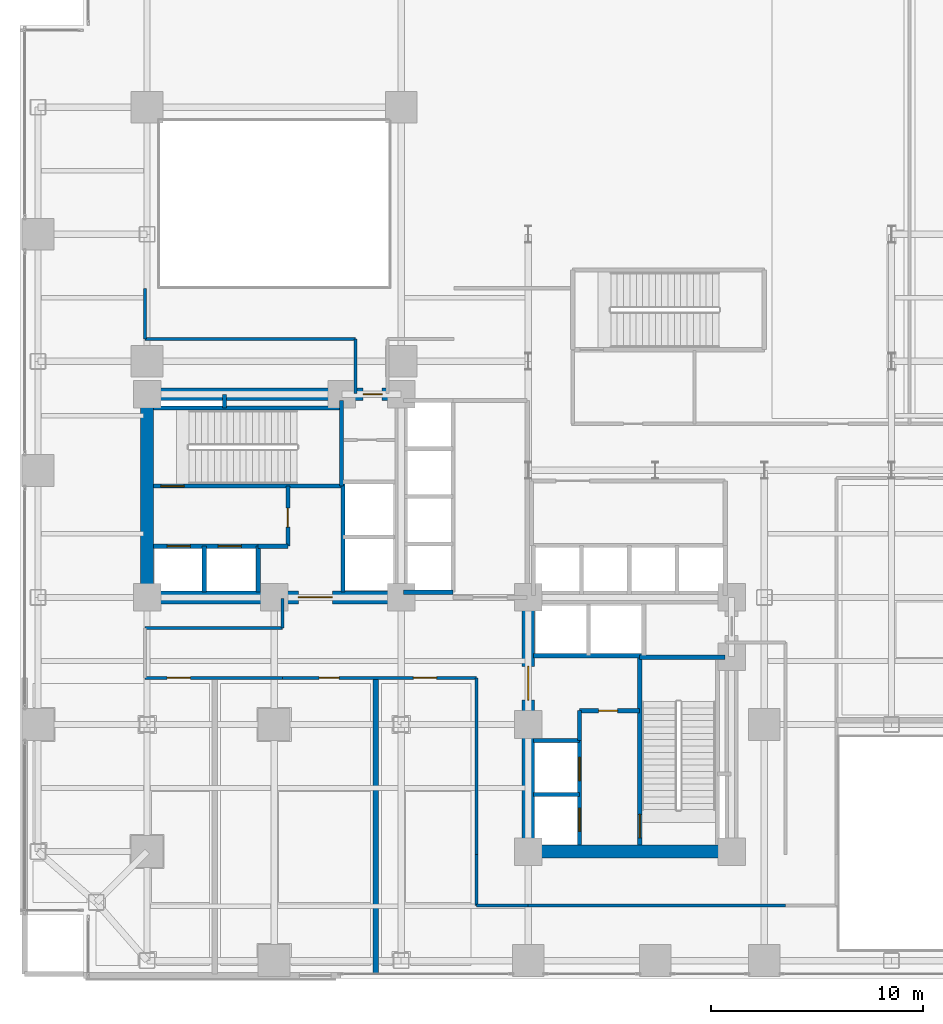
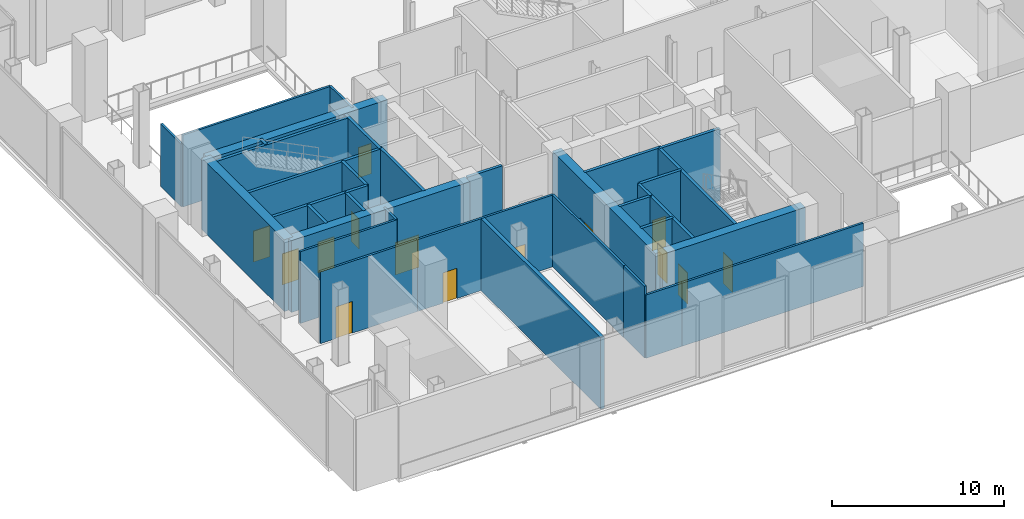
# One storey, part 21 of 28: 36 walls, 14 doors, 14 openings.
"""IFC4 building model written with IfcOpenShell, lengths in metres."""

from ifc_helpers import new_model, si_unit, direction, frame, frame_2d, origin, place, context, subcontext, project, spatial, rectangle, extrude, material, layer, layer_set, type_object, element, fill, save


model = new_model("IFC4")

# Units and contexts
model_context = context("Model", 3, precision=1e-05, world=origin(), true_north=direction((0.0, 1.0)))
body_context = subcontext(model_context, "Body", "Model", "MODEL_VIEW")
ifc_project = project(units=[si_unit("LENGTHUNIT", "METRE"), si_unit("AREAUNIT", "SQUARE_METRE"), si_unit("VOLUMEUNIT", "CUBIC_METRE"), si_unit("PLANEANGLEUNIT", "RADIAN"), si_unit("MASSUNIT", "GRAM", prefix="KILO"), si_unit("THERMODYNAMICTEMPERATUREUNIT", "KELVIN"), si_unit("POWERUNIT", "WATT")], contexts=[model_context])

# Site, building, storey
site_placement = place(None, origin())
site = spatial("IfcSite", under=ifc_project, at=site_placement, CompositionType="ELEMENT")
building_placement = place(site_placement, origin())
building = spatial("IfcBuilding", under=site, at=building_placement, Name="Svarakhadi Broadcast Tower", CompositionType="ELEMENT")
storey_placement = place(building_placement, frame((0.0, 0.0, 11.10009765625)))
storey = spatial("IfcBuildingStorey", under=building, at=storey_placement, Name="L02", CompositionType="ELEMENT", Elevation=11.10009765625)

# Walls
ifc_material_1 = material(Name="Double-Stud Acoustic Studio Partition STC-62", Category="gypsum")
ifc_layer_1 = layer(ifc_material_1, 0.25)
ifc_layer_set_1 = layer_set([ifc_layer_1], Name="Double-Stud Acoustic Studio Partition STC-62")
wall_type_1 = type_object("IfcWallType", Name="Wall_Acoust_250", PredefinedType="PARTITIONING", material=ifc_layer_set_1)
wall_1_placement = place(storey_placement, frame((16.800048828125, 0.219970703125, 0.0), z_axis=(0.0, 0.0, 1.0), x_axis=(0.0, 1.0, 0.0)))
element("IfcWall", 1, at=wall_1_placement, inside=storey, type_object=wall_type_1, Name="L02 L02 Audio Post-Production Mixing Room Wall", PredefinedType="PARTITIONING", context=body_context, shape_type="SweptSolid", body=[
    extrude(rectangle(XDim=13.97998046875, YDim=0.25, at=frame_2d((6.989990234375, 0.0))), origin(), (0.0, 0.0, 1.0), 5.099853515625),
])
ifc_material_2 = material(Name="Concrete C40/50 (IS 456 M50)", Category="concrete")
ifc_layer_2 = layer(ifc_material_2, 0.199951171875)
ifc_layer_set_2 = layer_set([ifc_layer_2], Name="Concrete C40/50 (IS 456 M50)")
wall_type_2 = type_object("IfcWallType", Name="Wall_Fire_200", PredefinedType="SOLIDWALL", material=ifc_layer_set_2)
wall_2_placement = place(storey_placement, frame((9.659912109375, 26.93994140625, 0.0), z_axis=(0.0, 0.0, 1.0), x_axis=(0.0, 1.0, 0.0)))
element("IfcWall", 2, at=wall_2_placement, inside=storey, type_object=wall_type_2, Name="L02 Wet Riser Shaft East Wall", PredefinedType="SOLIDWALL", context=body_context, shape_type="SweptSolid", body=[
    extrude(rectangle(XDim=0.64013671875, YDim=0.199951171875, at=frame_2d((0.320068359375, 0.0))), origin(), (0.0, 0.0, 1.0), 5.099853515625),
])
ifc_material_3 = material(Name="Autoclaved Aerated Concrete Blockwork 150 mm", Category="masonry")
ifc_layer_3 = layer(ifc_material_3, 0.14990234375)
ifc_layer_set_3 = layer_set([ifc_layer_3], Name="Autoclaved Aerated Concrete Blockwork 150 mm")
wall_type_3 = type_object("IfcWallType", Name="Wall_Part_150", PredefinedType="PARTITIONING", material=ifc_layer_set_3)
wall_3_placement = place(storey_placement, frame((21.550048828125, 5.85009765625, 0.0), z_axis=(0.0, 0.0, 1.0), x_axis=(0.0, 1.0, 0.0)))
element("IfcWall", 3, at=wall_3_placement, inside=storey, type_object=wall_type_3, Name="L02 Podium Gallery Wall", PredefinedType="PARTITIONING", context=body_context, shape_type="SweptSolid", body=[
    extrude(rectangle(XDim=8.349853515625, YDim=0.14990234375, at=frame_2d((4.1748046875, 0.0))), origin(), (0.0, 0.0, 1.0), 5.099853515625),
])

# Wall, openings, doors
wall_4_placement = place(storey_placement, frame((21.550048828125, 14.199951171875, 0.0), z_axis=(0.0, 0.0, 1.0), x_axis=(-1.0, 0.0, 0.0)))
wall_4 = element("IfcWall", 4, at=wall_4_placement, inside=storey, type_object=wall_type_3, Name="L02 Podium Gallery Wall", PredefinedType="PARTITIONING", context=body_context, shape_type="SweptSolid", body=[
    extrude(rectangle(XDim=9.150146484375, YDim=0.14990234375, at=frame_2d((4.5751953125, 0.0))), origin(), (0.0, 0.0, 1.0), 5.099853515625),
])
opening_1_placement = place(wall_4_placement, frame((6.47509765625, 0.0, 0.0)))
opening_1 = element("IfcOpeningElement", 5, at=opening_1_placement, cuts=wall_4, Name="Opening D-06", PredefinedType="OPENING", context=body_context, shape_type="SweptSolid", body=[
    extrude(rectangle(XDim=0.949951171875, YDim=2.14990234375, at=frame_2d((0.47509765625, 1.074951171875))), frame((0.0, 0.0849609375, 0.0), z_axis=(0.0, -1.0, 0.0), x_axis=(1.0, 0.0, 0.0)), (0.0, 0.0, 1.0), 0.169921875),
])
opening_2_placement = place(wall_4_placement, frame((1.875, 0.0, 0.0)))
opening_2 = element("IfcOpeningElement", 6, at=opening_2_placement, cuts=wall_4, Name="Opening D-11", PredefinedType="OPENING", context=body_context, shape_type="SweptSolid", body=[
    extrude(rectangle(XDim=1.10009765625, YDim=2.25, at=frame_2d((0.550048828125, 1.125))), frame((0.0, 0.0849609375, 0.0), z_axis=(0.0, -1.0, 0.0), x_axis=(1.0, 0.0, 0.0)), (0.0, 0.0, 1.0), 0.169921875),
])
ifc_material_4 = material(Name="Solid-Core Teak Veneer Acoustic Timber Leaf", Category="wood")
door_type_1 = type_object("IfcDoorType", Name="Door_Acoust_D11", OperationType="SINGLE_SWING_RIGHT", PredefinedType="DOOR", material=ifc_material_4)
door_1_placement = place(opening_2_placement, origin())
door_1 = element("IfcDoor", 7, at=door_1_placement, inside=storey, type_object=door_type_1, Name="L02 L02 Crew Green Room and Pantry Door", OperationType="SINGLE_SWING_RIGHT", OverallHeight=2.25, OverallWidth=1.10009765625, PredefinedType="DOOR", context=body_context, shape_type="SweptSolid", body=[
    extrude(rectangle(XDim=1.10009765625, YDim=2.25, at=frame_2d((0.550048828125, 1.125))), frame((0.0, 0.02490234375, 0.0), z_axis=(0.0, -1.0, 0.0), x_axis=(1.0, 0.0, 0.0)), (0.0, 0.0, 1.0), 0.050048828125),
])
fill(opening_2, door_1)
door_type_2 = type_object("IfcDoorType", Name="Door_Office_D06", OperationType="SINGLE_SWING_LEFT", PredefinedType="DOOR", material=ifc_material_4)
door_2_placement = place(opening_1_placement, origin())
door_2 = element("IfcDoor", 8, at=door_2_placement, inside=storey, type_object=door_type_2, Name="L02 L02 Audio Post-Production Mixing Room Door", OperationType="SINGLE_SWING_LEFT", OverallHeight=2.14990234375, OverallWidth=0.949951171875, PredefinedType="DOOR", context=body_context, shape_type="SweptSolid", body=[
    extrude(rectangle(XDim=0.949951171875, YDim=2.14990234375, at=frame_2d((0.47509765625, 1.074951171875))), frame((0.0, 0.02490234375, 0.0), z_axis=(0.0, -1.0, 0.0), x_axis=(1.0, 0.0, 0.0)), (0.0, 0.0, 1.0), 0.050048828125),
])
fill(opening_1, door_2)

# Wall, opening, door
wall_5_placement = place(storey_placement, frame((12.39990234375, 14.199951171875, 0.0), z_axis=(0.0, 0.0, 1.0), x_axis=(-1.0, 0.0, 0.0)))
wall_5 = element("IfcWall", 9, at=wall_5_placement, inside=storey, type_object=wall_type_3, Name="L02 Podium Gallery Wall", PredefinedType="PARTITIONING", context=body_context, shape_type="SweptSolid", body=[
    extrude(rectangle(XDim=6.5, YDim=0.14990234375, at=frame_2d((3.25, 0.0))), origin(), (0.0, 0.0, 1.0), 5.099853515625),
])
opening_3_placement = place(wall_5_placement, frame((4.35009765625, 0.0, 0.0)))
opening_3 = element("IfcOpeningElement", 10, at=opening_3_placement, cuts=wall_5, Name="Opening D-10", PredefinedType="OPENING", context=body_context, shape_type="SweptSolid", body=[
    extrude(rectangle(XDim=1.10009765625, YDim=2.25, at=frame_2d((0.550048828125, 1.125))), frame((0.0, 0.0849609375, 0.0), z_axis=(0.0, -1.0, 0.0), x_axis=(1.0, 0.0, 0.0)), (0.0, 0.0, 1.0), 0.169921875),
])
door_type_3 = type_object("IfcDoorType", Name="Door_Acoust_D10", OperationType="SINGLE_SWING_LEFT", PredefinedType="DOOR", material=ifc_material_4)
door_3_placement = place(opening_3_placement, origin())
door_3 = element("IfcDoor", 11, at=door_3_placement, inside=storey, type_object=door_type_3, Name="L02 L02 Master Control Broadcast Room Door", OperationType="SINGLE_SWING_LEFT", OverallHeight=2.25, OverallWidth=1.10009765625, PredefinedType="DOOR", context=body_context, shape_type="SweptSolid", body=[
    extrude(rectangle(XDim=1.10009765625, YDim=2.25, at=frame_2d((0.550048828125, 1.125))), frame((0.0, 0.02490234375, 0.0), z_axis=(0.0, -1.0, 0.0), x_axis=(1.0, 0.0, 0.0)), (0.0, 0.0, 1.0), 0.050048828125),
])
fill(opening_3, door_3)

# Walls
wall_6_placement = place(storey_placement, frame((5.89990234375, 16.550048828125, 0.0), z_axis=(0.0, 0.0, 1.0), x_axis=(1.0, 0.0, 0.0)))
element("IfcWall", 12, at=wall_6_placement, inside=storey, type_object=wall_type_3, Name="L02 Podium Gallery Wall", PredefinedType="PARTITIONING", context=body_context, shape_type="SweptSolid", body=[
    extrude(rectangle(XDim=6.5, YDim=0.14990234375, at=frame_2d((3.25, 0.0))), origin(), (0.0, 0.0, 1.0), 5.099853515625),
])
wall_7_placement = place(storey_placement, frame((12.39990234375, 16.550048828125, 0.0), z_axis=(0.0, 0.0, 1.0), x_axis=(0.0, 1.0, 0.0)))
element("IfcWall", 13, at=wall_7_placement, inside=storey, type_object=wall_type_3, Name="L02 Podium Gallery Wall", PredefinedType="PARTITIONING", context=body_context, shape_type="SweptSolid", body=[
    extrude(rectangle(XDim=1.409912109375, YDim=0.14990234375, at=frame_2d((0.705078125, 0.0))), origin(), (0.0, 0.0, 1.0), 5.099853515625),
])
wall_8_placement = place(storey_placement, frame((15.85009765625, 27.6201171875, 0.0), z_axis=(0.0, 0.0, 1.0), x_axis=(0.0, 1.0, 0.0)))
element("IfcWall", 14, at=wall_8_placement, inside=storey, type_object=wall_type_3, Name="L02 Podium Gallery Wall", PredefinedType="PARTITIONING", context=body_context, shape_type="SweptSolid", body=[
    extrude(rectangle(XDim=2.579833984375, YDim=0.14990234375, at=frame_2d((1.2900390625, 0.0))), origin(), (0.0, 0.0, 1.0), 5.099853515625),
])
wall_9_placement = place(storey_placement, frame((15.85009765625, 30.199951171875, 0.0), z_axis=(0.0, 0.0, 1.0), x_axis=(-1.0, 0.0, 0.0)))
element("IfcWall", 15, at=wall_9_placement, inside=storey, type_object=wall_type_3, Name="L02 Podium Gallery Wall", PredefinedType="PARTITIONING", context=body_context, shape_type="SweptSolid", body=[
    extrude(rectangle(XDim=9.9501953125, YDim=0.14990234375, at=frame_2d((4.97509765625, 0.0))), origin(), (0.0, 0.0, 1.0), 5.099853515625),
])
wall_10_placement = place(storey_placement, frame((5.89990234375, 30.199951171875, 0.0), z_axis=(0.0, 0.0, 1.0), x_axis=(0.0, 1.0, 0.0)))
element("IfcWall", 16, at=wall_10_placement, inside=storey, type_object=wall_type_3, Name="L02 Podium Gallery Wall", PredefinedType="PARTITIONING", context=body_context, shape_type="SweptSolid", body=[
    extrude(rectangle(XDim=2.400146484375, YDim=0.14990234375, at=frame_2d((1.2001953125, 0.0))), origin(), (0.0, 0.0, 1.0), 4.44189453125),
])
wall_11_placement = place(storey_placement, frame((36.14990234375, 3.449951171875, 0.0), z_axis=(0.0, 0.0, 1.0), x_axis=(-1.0, 0.0, 0.0)))
element("IfcWall", 17, at=wall_11_placement, inside=storey, type_object=wall_type_3, Name="L02 Podium Gallery Wall", PredefinedType="PARTITIONING", context=body_context, shape_type="SweptSolid", body=[
    extrude(rectangle(XDim=12.169921875, YDim=0.14990234375, at=frame_2d((6.0849609375, 0.0))), origin(), (0.0, 0.0, 1.0), 4.491943359375),
])
wall_12_placement = place(storey_placement, frame((23.97998046875, 3.449951171875, 0.0), z_axis=(0.0, 0.0, 1.0), x_axis=(-1.0, 0.0, 0.0)))
element("IfcWall", 18, at=wall_12_placement, inside=storey, type_object=wall_type_3, Name="L02 Podium Gallery Wall", PredefinedType="PARTITIONING", context=body_context, shape_type="SweptSolid", body=[
    extrude(rectangle(XDim=2.429931640625, YDim=0.14990234375, at=frame_2d((1.21484375, 0.0))), origin(), (0.0, 0.0, 1.0), 4.491943359375),
])
wall_13_placement = place(storey_placement, frame((21.550048828125, 3.449951171875, 0.0), z_axis=(0.0, 0.0, 1.0), x_axis=(0.0, 1.0, 0.0)))
element("IfcWall", 19, at=wall_13_placement, inside=storey, type_object=wall_type_3, Name="L02 Podium Gallery Wall", PredefinedType="PARTITIONING", context=body_context, shape_type="SweptSolid", body=[
    extrude(rectangle(XDim=2.400146484375, YDim=0.14990234375, at=frame_2d((1.2001953125, 0.0))), origin(), (0.0, 0.0, 1.0), 5.099853515625),
])

# Wall, opening, door
ifc_material_5 = material(Name="Concrete C50/60 (IS 456 M60)", Category="concrete")
ifc_layer_4 = layer(ifc_material_5, 0.199951171875)
ifc_layer_set_4 = layer_set([ifc_layer_4], Name="Concrete C50/60 (IS 456 M60)")
wall_type_4 = type_object("IfcWallType", Name="Wall_Shear_200", PredefinedType="SHEAR", material=ifc_layer_set_4)
wall_14_placement = place(storey_placement, frame((6.300048828125, 23.260009765625, 0.0), z_axis=(0.0, 0.0, 1.0), x_axis=(1.0, 0.0, 0.0)))
wall_14 = element("IfcWall", 20, at=wall_14_placement, inside=storey, type_object=wall_type_4, Name="L02 Stair ST-01 South RC Shaft Wall", PredefinedType="SHEAR", context=body_context, shape_type="SweptSolid", body=[
    extrude(rectangle(XDim=8.8798828125, YDim=0.199951171875, at=frame_2d((4.43994140625, 0.0))), origin(), (0.0, 0.0, 1.0), 5.099853515625),
])
opening_4_placement = place(wall_14_placement, frame((0.35009765625, 0.0, 0.0)))
opening_4 = element("IfcOpeningElement", 21, at=opening_4_placement, cuts=wall_14, Name="Opening D-01", PredefinedType="OPENING", context=body_context, shape_type="SweptSolid", body=[
    extrude(rectangle(XDim=1.10009765625, YDim=2.199951171875, at=frame_2d((0.550048828125, 1.10009765625))), frame((0.0, 0.10986328125, 0.0), z_axis=(0.0, -1.0, 0.0), x_axis=(1.0, 0.0, 0.0)), (0.0, 0.0, 1.0), 0.219970703125),
])
ifc_material_6 = material(Name="Galvanised Powder-Coated Fire-Rated Steel Leaf", Category="steel")
door_type_4 = type_object("IfcDoorType", Name="Door_Stair_D01", OperationType="SINGLE_SWING_LEFT", PredefinedType="DOOR", material=ifc_material_6)
door_4_placement = place(opening_4_placement, origin())
door_4 = element("IfcDoor", 22, at=door_4_placement, inside=storey, type_object=door_type_4, Name="L02 Protected Exit Stair ST-01 Fire Door", OperationType="SINGLE_SWING_LEFT", OverallHeight=2.199951171875, OverallWidth=1.10009765625, PredefinedType="DOOR", context=body_context, shape_type="SweptSolid", body=[
    extrude(rectangle(XDim=1.10009765625, YDim=2.199951171875, at=frame_2d((0.550048828125, 1.10009765625))), frame((0.0, 0.02490234375, 0.0), z_axis=(0.0, -1.0, 0.0), x_axis=(1.0, 0.0, 0.0)), (0.0, 0.0, 1.0), 0.050048828125),
])
fill(opening_4, door_4)

# Walls
wall_15_placement = place(storey_placement, frame((6.300048828125, 26.93994140625, 0.0), z_axis=(0.0, 0.0, 1.0), x_axis=(1.0, 0.0, 0.0)))
element("IfcWall", 23, at=wall_15_placement, inside=storey, type_object=wall_type_4, Name="L02 Stair ST-01 North RC Shaft Wall", PredefinedType="SHEAR", context=body_context, shape_type="SweptSolid", body=[
    extrude(rectangle(XDim=8.8798828125, YDim=0.199951171875, at=frame_2d((4.43994140625, 0.0))), origin(), (0.0, 0.0, 1.0), 5.099853515625),
])
wall_16_placement = place(storey_placement, frame((15.179931640625, 23.260009765625, 0.0), z_axis=(0.0, 0.0, 1.0), x_axis=(0.0, 1.0, 0.0)))
element("IfcWall", 24, at=wall_16_placement, inside=storey, type_object=wall_type_4, Name="L02 Stair ST-01 East RC Shaft Wall", PredefinedType="SHEAR", context=body_context, shape_type="SweptSolid", body=[
    extrude(rectangle(XDim=4.0400390625, YDim=0.199951171875, at=frame_2d((2.02001953125, 0.0))), origin(), (0.0, 0.0, 1.0), 5.099853515625),
])

# Wall, opening, door
wall_17_placement = place(storey_placement, frame((29.260009765625, 6.300048828125, 0.0), z_axis=(0.0, 0.0, 1.0), x_axis=(0.0, 1.0, 0.0)))
wall_17 = element("IfcWall", 25, at=wall_17_placement, inside=storey, type_object=wall_type_4, Name="L02 Stair ST-02 West RC Shaft Wall", PredefinedType="SHEAR", context=body_context, shape_type="SweptSolid", body=[
    extrude(rectangle(XDim=8.8798828125, YDim=0.199951171875, at=frame_2d((4.43994140625, 0.0))), origin(), (0.0, 0.0, 1.0), 5.099853515625),
])
opening_5_placement = place(wall_17_placement, frame((0.35009765625, 0.0, 0.0)))
opening_5 = element("IfcOpeningElement", 26, at=opening_5_placement, cuts=wall_17, Name="Opening D-02", PredefinedType="OPENING", context=body_context, shape_type="SweptSolid", body=[
    extrude(rectangle(XDim=1.10009765625, YDim=2.199951171875, at=frame_2d((0.550048828125, 1.10009765625))), frame((0.0, 0.10986328125, 0.0), z_axis=(0.0, -1.0, 0.0), x_axis=(1.0, 0.0, 0.0)), (0.0, 0.0, 1.0), 0.219970703125),
])
door_type_5 = type_object("IfcDoorType", Name="Door_Stair_D02", OperationType="SINGLE_SWING_RIGHT", PredefinedType="DOOR", material=ifc_material_6)
door_5_placement = place(opening_5_placement, origin())
door_5 = element("IfcDoor", 27, at=door_5_placement, inside=storey, type_object=door_type_5, Name="L02 Protected Exit Stair ST-02 Fire Door", OperationType="SINGLE_SWING_RIGHT", OverallHeight=2.199951171875, OverallWidth=1.10009765625, PredefinedType="DOOR", context=body_context, shape_type="SweptSolid", body=[
    extrude(rectangle(XDim=1.10009765625, YDim=2.199951171875, at=frame_2d((0.550048828125, 1.10009765625))), frame((0.0, 0.02490234375, 0.0), z_axis=(0.0, -1.0, 0.0), x_axis=(1.0, 0.0, 0.0)), (0.0, 0.0, 1.0), 0.050048828125),
])
fill(opening_5, door_5)

# Wall
wall_18_placement = place(storey_placement, frame((29.260009765625, 15.179931640625, 0.0), z_axis=(0.0, 0.0, 1.0), x_axis=(1.0, 0.0, 0.0)))
element("IfcWall", 28, at=wall_18_placement, inside=storey, type_object=wall_type_4, Name="L02 Stair ST-02 North RC Shaft Wall", PredefinedType="SHEAR", context=body_context, shape_type="SweptSolid", body=[
    extrude(rectangle(XDim=4.0400390625, YDim=0.199951171875, at=frame_2d((2.02001953125, 0.0))), origin(), (0.0, 0.0, 1.0), 5.099853515625),
])

# Wall, openings, doors
wall_19_placement = place(storey_placement, frame((6.300048828125, 20.419921875, 0.0), z_axis=(0.0, 0.0, 1.0), x_axis=(1.0, 0.0, 0.0)))
wall_19 = element("IfcWall", 29, at=wall_19_placement, inside=storey, type_object=wall_type_4, Name="L02 Firefighting Lift LF-01/02 Shaft Wall", PredefinedType="SHEAR", context=body_context, shape_type="SweptSolid", body=[
    extrude(rectangle(XDim=4.949951171875, YDim=0.199951171875, at=frame_2d((2.47509765625, 0.0))), origin(), (0.0, 0.0, 1.0), 5.099853515625),
])
opening_6_placement = place(wall_19_placement, frame((0.64990234375, 0.0, 0.0)))
opening_6 = element("IfcOpeningElement", 30, at=opening_6_placement, cuts=wall_19, Name="Opening LD-01", PredefinedType="OPENING", context=body_context, shape_type="SweptSolid", body=[
    extrude(rectangle(XDim=1.10009765625, YDim=2.199951171875, at=frame_2d((0.550048828125, 1.10009765625))), frame((0.0, 0.10986328125, 0.0), z_axis=(0.0, -1.0, 0.0), x_axis=(1.0, 0.0, 0.0)), (0.0, 0.0, 1.0), 0.219970703125),
])
opening_7_placement = place(wall_19_placement, frame((3.050048828125, 0.0, 0.0)))
opening_7 = element("IfcOpeningElement", 31, at=opening_7_placement, cuts=wall_19, Name="Opening LD-01", PredefinedType="OPENING", context=body_context, shape_type="SweptSolid", body=[
    extrude(rectangle(XDim=1.10009765625, YDim=2.199951171875, at=frame_2d((0.550048828125, 1.10009765625))), frame((0.0, 0.10986328125, 0.0), z_axis=(0.0, -1.0, 0.0), x_axis=(1.0, 0.0, 0.0)), (0.0, 0.0, 1.0), 0.219970703125),
])
door_type_6 = type_object("IfcDoorType", Name="Door_Lift_LD01", OperationType="SLIDING_TO_LEFT", PredefinedType="DOOR", material=ifc_material_6)
door_6_placement = place(opening_6_placement, origin())
door_6 = element("IfcDoor", 32, at=door_6_placement, inside=storey, type_object=door_type_6, Name="L02 Firefighting Lift LF-01 Landing Door", OperationType="SLIDING_TO_LEFT", OverallHeight=2.199951171875, OverallWidth=1.10009765625, PredefinedType="DOOR", context=body_context, shape_type="SweptSolid", body=[
    extrude(rectangle(XDim=1.10009765625, YDim=2.199951171875, at=frame_2d((0.550048828125, 1.10009765625))), frame((0.0, 0.02490234375, 0.0), z_axis=(0.0, -1.0, 0.0), x_axis=(1.0, 0.0, 0.0)), (0.0, 0.0, 1.0), 0.050048828125),
])
fill(opening_6, door_6)
door_7_placement = place(opening_7_placement, origin())
door_7 = element("IfcDoor", 33, at=door_7_placement, inside=storey, type_object=door_type_6, Name="L02 Firefighting Lift LF-02 Landing Door", OperationType="SLIDING_TO_LEFT", OverallHeight=2.199951171875, OverallWidth=1.10009765625, PredefinedType="DOOR", context=body_context, shape_type="SweptSolid", body=[
    extrude(rectangle(XDim=1.10009765625, YDim=2.199951171875, at=frame_2d((0.550048828125, 1.10009765625))), frame((0.0, 0.02490234375, 0.0), z_axis=(0.0, -1.0, 0.0), x_axis=(1.0, 0.0, 0.0)), (0.0, 0.0, 1.0), 0.050048828125),
])
fill(opening_7, door_7)

# Walls
for number, where, z_axis, x_axis, name in (
    (34, (8.699951171875, 18.25, 0.0), (0.0, 0.0, 1.0), (0.0, 1.0, 0.0), "L02 Firefighting Lift LF-01/02 Divider Wall"),
    (35, (11.25, 18.25, 0.0), (0.0, 0.0, 1.0), (0.0, 1.0, 0.0), "L02 Firefighting Lift LF-02 East Wall"),
):
    element("IfcWall", number, at=place(storey_placement, frame(where, z_axis=z_axis, x_axis=x_axis)), inside=storey, type_object=wall_type_4, Name=name, PredefinedType="SHEAR", context=body_context, shape_type="SweptSolid", body=[
        extrude(rectangle(XDim=2.169921875, YDim=0.199951171875, at=frame_2d((1.0849609375, 0.0))), origin(), (0.0, 0.0, 1.0), 5.099853515625),
    ])
wall_20_placement = place(storey_placement, frame((11.25, 20.419921875, 0.0), z_axis=(0.0, 0.0, 1.0), x_axis=(1.0, 0.0, 0.0)))
element("IfcWall", 36, at=wall_20_placement, inside=storey, type_object=wall_type_4, Name="L02 West Firefighting Lobby South Wall", PredefinedType="SHEAR", context=body_context, shape_type="SweptSolid", body=[
    extrude(rectangle(XDim=1.39990234375, YDim=0.199951171875, at=frame_2d((0.699951171875, 0.0))), origin(), (0.0, 0.0, 1.0), 5.099853515625),
])

# Wall, opening, door
wall_21_placement = place(storey_placement, frame((12.64990234375, 20.419921875, 0.0), z_axis=(0.0, 0.0, 1.0), x_axis=(0.0, 1.0, 0.0)))
wall_21 = element("IfcWall", 37, at=wall_21_placement, inside=storey, type_object=wall_type_4, Name="L02 West Firefighting Lobby East Wall", PredefinedType="SHEAR", context=body_context, shape_type="SweptSolid", body=[
    extrude(rectangle(XDim=2.840087890625, YDim=0.199951171875, at=frame_2d((1.419921875, 0.0))), origin(), (0.0, 0.0, 1.0), 5.099853515625),
])
opening_8_placement = place(wall_21_placement, frame((0.89990234375, 0.0, 0.0)))
opening_8 = element("IfcOpeningElement", 38, at=opening_8_placement, cuts=wall_21, Name="Opening D-04", PredefinedType="OPENING", context=body_context, shape_type="SweptSolid", body=[
    extrude(rectangle(XDim=0.89990234375, YDim=2.14990234375, at=frame_2d((0.449951171875, 1.074951171875))), frame((0.0, 0.10986328125, 0.0), z_axis=(0.0, -1.0, 0.0), x_axis=(1.0, 0.0, 0.0)), (0.0, 0.0, 1.0), 0.219970703125),
])
door_type_7 = type_object("IfcDoorType", Name="Door_Fire_D04", OperationType="SINGLE_SWING_RIGHT", PredefinedType="DOOR", material=ifc_material_6)
door_8_placement = place(opening_8_placement, origin())
door_8 = element("IfcDoor", 39, at=door_8_placement, inside=storey, type_object=door_type_7, Name="L02 West Firefighting Lobby Fire Door", OperationType="SINGLE_SWING_RIGHT", OverallHeight=2.14990234375, OverallWidth=0.89990234375, PredefinedType="DOOR", context=body_context, shape_type="SweptSolid", body=[
    extrude(rectangle(XDim=0.89990234375, YDim=2.14990234375, at=frame_2d((0.449951171875, 1.074951171875))), frame((0.0, 0.02490234375, 0.0), z_axis=(0.0, -1.0, 0.0), x_axis=(1.0, 0.0, 0.0)), (0.0, 0.0, 1.0), 0.050048828125),
])
fill(opening_8, door_8)

# Wall, openings, doors
wall_22_placement = place(storey_placement, frame((26.419921875, 6.300048828125, 0.0), z_axis=(0.0, 0.0, 1.0), x_axis=(0.0, 1.0, 0.0)))
wall_22 = element("IfcWall", 40, at=wall_22_placement, inside=storey, type_object=wall_type_4, Name="L02 Firefighting Lift LF-03/04 Shaft Wall", PredefinedType="SHEAR", context=body_context, shape_type="SweptSolid", body=[
    extrude(rectangle(XDim=4.949951171875, YDim=0.199951171875, at=frame_2d((2.47509765625, 0.0))), origin(), (0.0, 0.0, 1.0), 5.099853515625),
])
opening_9_placement = place(wall_22_placement, frame((0.64990234375, 0.0, 0.0)))
opening_9 = element("IfcOpeningElement", 41, at=opening_9_placement, cuts=wall_22, Name="Opening LD-01", PredefinedType="OPENING", context=body_context, shape_type="SweptSolid", body=[
    extrude(rectangle(XDim=1.10009765625, YDim=2.199951171875, at=frame_2d((0.550048828125, 1.10009765625))), frame((0.0, 0.10986328125, 0.0), z_axis=(0.0, -1.0, 0.0), x_axis=(1.0, 0.0, 0.0)), (0.0, 0.0, 1.0), 0.219970703125),
])
opening_10_placement = place(wall_22_placement, frame((3.050048828125, 0.0, 0.0)))
opening_10 = element("IfcOpeningElement", 42, at=opening_10_placement, cuts=wall_22, Name="Opening LD-01", PredefinedType="OPENING", context=body_context, shape_type="SweptSolid", body=[
    extrude(rectangle(XDim=1.10009765625, YDim=2.199951171875, at=frame_2d((0.550048828125, 1.10009765625))), frame((0.0, 0.10986328125, 0.0), z_axis=(0.0, -1.0, 0.0), x_axis=(1.0, 0.0, 0.0)), (0.0, 0.0, 1.0), 0.219970703125),
])
door_9_placement = place(opening_9_placement, origin())
door_9 = element("IfcDoor", 43, at=door_9_placement, inside=storey, type_object=door_type_6, Name="L02 Firefighting Lift LF-03 Landing Door", OperationType="SLIDING_TO_LEFT", OverallHeight=2.199951171875, OverallWidth=1.10009765625, PredefinedType="DOOR", context=body_context, shape_type="SweptSolid", body=[
    extrude(rectangle(XDim=1.10009765625, YDim=2.199951171875, at=frame_2d((0.550048828125, 1.10009765625))), frame((0.0, 0.02490234375, 0.0), z_axis=(0.0, -1.0, 0.0), x_axis=(1.0, 0.0, 0.0)), (0.0, 0.0, 1.0), 0.050048828125),
])
fill(opening_9, door_9)
door_10_placement = place(opening_10_placement, origin())
door_10 = element("IfcDoor", 44, at=door_10_placement, inside=storey, type_object=door_type_6, Name="L02 Firefighting Lift LF-04 Landing Door", OperationType="SLIDING_TO_LEFT", OverallHeight=2.199951171875, OverallWidth=1.10009765625, PredefinedType="DOOR", context=body_context, shape_type="SweptSolid", body=[
    extrude(rectangle(XDim=1.10009765625, YDim=2.199951171875, at=frame_2d((0.550048828125, 1.10009765625))), frame((0.0, 0.02490234375, 0.0), z_axis=(0.0, -1.0, 0.0), x_axis=(1.0, 0.0, 0.0)), (0.0, 0.0, 1.0), 0.050048828125),
])
fill(opening_10, door_10)

# Walls
for number, where, z_axis, x_axis, name in (
    (45, (24.25, 8.699951171875, 0.0), (0.0, 0.0, 1.0), (1.0, 0.0, 0.0), "L02 Firefighting Lift LF-03/04 Divider Wall"),
    (46, (24.25, 11.25, 0.0), (0.0, 0.0, 1.0), (1.0, 0.0, 0.0), "L02 Firefighting Lift LF-04 North Wall"),
):
    element("IfcWall", number, at=place(storey_placement, frame(where, z_axis=z_axis, x_axis=x_axis)), inside=storey, type_object=wall_type_4, Name=name, PredefinedType="SHEAR", context=body_context, shape_type="SweptSolid", body=[
        extrude(rectangle(XDim=2.169921875, YDim=0.199951171875, at=frame_2d((1.0849609375, 0.0))), origin(), (0.0, 0.0, 1.0), 5.099853515625),
    ])
wall_23_placement = place(storey_placement, frame((26.419921875, 11.25, 0.0), z_axis=(0.0, 0.0, 1.0), x_axis=(0.0, 1.0, 0.0)))
element("IfcWall", 47, at=wall_23_placement, inside=storey, type_object=wall_type_4, Name="L02 East Firefighting Lobby West Wall", PredefinedType="SHEAR", context=body_context, shape_type="SweptSolid", body=[
    extrude(rectangle(XDim=1.39990234375, YDim=0.199951171875, at=frame_2d((0.699951171875, 0.0))), origin(), (0.0, 0.0, 1.0), 5.099853515625),
])

# Wall, opening, door
wall_24_placement = place(storey_placement, frame((26.419921875, 12.64990234375, 0.0), z_axis=(0.0, 0.0, 1.0), x_axis=(1.0, 0.0, 0.0)))
wall_24 = element("IfcWall", 48, at=wall_24_placement, inside=storey, type_object=wall_type_4, Name="L02 East Firefighting Lobby North Wall", PredefinedType="SHEAR", context=body_context, shape_type="SweptSolid", body=[
    extrude(rectangle(XDim=2.840087890625, YDim=0.199951171875, at=frame_2d((1.419921875, 0.0))), origin(), (0.0, 0.0, 1.0), 5.099853515625),
])
opening_11_placement = place(wall_24_placement, frame((0.89990234375, 0.0, 0.0)))
opening_11 = element("IfcOpeningElement", 49, at=opening_11_placement, cuts=wall_24, Name="Opening D-03", PredefinedType="OPENING", context=body_context, shape_type="SweptSolid", body=[
    extrude(rectangle(XDim=0.89990234375, YDim=2.14990234375, at=frame_2d((0.449951171875, 1.074951171875))), frame((0.0, 0.10986328125, 0.0), z_axis=(0.0, -1.0, 0.0), x_axis=(1.0, 0.0, 0.0)), (0.0, 0.0, 1.0), 0.219970703125),
])
door_type_8 = type_object("IfcDoorType", Name="Door_Fire_D03", OperationType="SINGLE_SWING_LEFT", PredefinedType="DOOR", material=ifc_material_6)
door_11_placement = place(opening_11_placement, origin())
door_11 = element("IfcDoor", 50, at=door_11_placement, inside=storey, type_object=door_type_8, Name="L02 East Firefighting Lobby Fire Door", OperationType="SINGLE_SWING_LEFT", OverallHeight=2.14990234375, OverallWidth=0.89990234375, PredefinedType="DOOR", context=body_context, shape_type="SweptSolid", body=[
    extrude(rectangle(XDim=0.89990234375, YDim=2.14990234375, at=frame_2d((0.449951171875, 1.074951171875))), frame((0.0, 0.02490234375, 0.0), z_axis=(0.0, -1.0, 0.0), x_axis=(1.0, 0.0, 0.0)), (0.0, 0.0, 1.0), 0.050048828125),
])
fill(opening_11, door_11)

# Walls
for number, where, z_axis, x_axis, name in (
    (51, (15.25, 18.25, 0.0), (0.0, 0.0, 1.0), (0.0, 1.0, 0.0), "L02 High-Rise Lift LF-13/14 West Shaft Wall"),
    (52, (24.25, 15.25, 0.0), (0.0, 0.0, 1.0), (1.0, 0.0, 0.0), "L02 High-Rise Lift LF-15/16 South Shaft Wall"),
):
    element("IfcWall", number, at=place(storey_placement, frame(where, z_axis=z_axis, x_axis=x_axis)), inside=storey, type_object=wall_type_4, Name=name, PredefinedType="SHEAR", context=body_context, shape_type="SweptSolid", body=[
        extrude(rectangle(XDim=5.199951171875, YDim=0.199951171875, at=frame_2d((2.60009765625, 0.0))), origin(), (0.0, 0.0, 1.0), 5.099853515625),
    ])
wall_25_placement = place(storey_placement, frame((18.10009765625, 18.25, 0.0), z_axis=(0.0, 0.0, 1.0), x_axis=(1.0, 0.0, 0.0)))
element("IfcWall", 53, at=wall_25_placement, inside=storey, type_object=wall_type_4, Name="L02 Bank A South Shaft Wall", PredefinedType="SHEAR", context=body_context, shape_type="SweptSolid", body=[
    extrude(rectangle(XDim=2.349853515625, YDim=0.199951171875, at=frame_2d((1.1748046875, 0.0))), origin(), (0.0, 0.0, 1.0), 5.099853515625),
])

# Wall, opening, door
ifc_material_7 = material(Name="Concrete C60/75 (IS 456 M70)", Category="concrete")
ifc_layer_5 = layer(ifc_material_7, 0.60009765625)
ifc_layer_set_5 = layer_set([ifc_layer_5], Name="Concrete C60/75 (IS 456 M70)")
wall_type_5 = type_object("IfcWallType", Name="Wall_Shear_600", PredefinedType="SHEAR", material=ifc_layer_set_5)
wall_26_placement = place(storey_placement, frame((6.0, 18.0, 0.0), z_axis=(0.0, 0.0, 1.0), x_axis=(1.0, 0.0, 0.0)))
wall_26 = element("IfcWall", 54, at=wall_26_placement, inside=storey, type_object=wall_type_5, Name="L02 West Core South Shear Wall", PredefinedType="SHEAR", context=body_context, shape_type="SweptSolid", body=[
    extrude(rectangle(XDim=12.0, YDim=0.60009765625, at=frame_2d((6.0, 0.0))), origin(), (0.0, 0.0, 1.0), 5.099853515625),
])
opening_12_placement = place(wall_26_placement, frame((7.14990234375, 0.0, 0.0)))
opening_12 = element("IfcOpeningElement", 55, at=opening_12_placement, cuts=wall_26, Name="Opening D-05", PredefinedType="OPENING", context=body_context, shape_type="SweptSolid", body=[
    extrude(rectangle(XDim=1.60009765625, YDim=2.300048828125, at=frame_2d((0.800048828125, 1.14990234375))), frame((0.0, 0.31005859375, 0.0), z_axis=(0.0, -1.0, 0.0), x_axis=(1.0, 0.0, 0.0)), (0.0, 0.0, 1.0), 0.6201171875),
])
ifc_material_8 = material(Name="Anodised Bronze Aluminium AA 6063-T6", Category="aluminium")
door_type_9 = type_object("IfcDoorType", Name="Door_Lobby_D05", OperationType="DOUBLE_DOOR_SLIDING", PredefinedType="DOOR", material=ifc_material_8)
door_12_placement = place(opening_12_placement, origin())
door_12 = element("IfcDoor", 56, at=door_12_placement, inside=storey, type_object=door_type_9, Name="L02 West Core Passenger Lift Lobby Entrance Door", OperationType="DOUBLE_DOOR_SLIDING", OverallHeight=2.300048828125, OverallWidth=1.60009765625, PredefinedType="DOOR", context=body_context, shape_type="SweptSolid", body=[
    extrude(rectangle(XDim=1.60009765625, YDim=2.300048828125, at=frame_2d((0.800048828125, 1.14990234375))), frame((0.0, 0.02490234375, 0.0), z_axis=(0.0, -1.0, 0.0), x_axis=(1.0, 0.0, 0.0)), (0.0, 0.0, 1.0), 0.050048828125),
])
fill(opening_12, door_12)

wall_27_placement = place(storey_placement, frame((6.0, 27.60009765625, 0.0), z_axis=(0.0, 0.0, 1.0), x_axis=(1.0, 0.0, 0.0)))
wall_27 = element("IfcWall", 57, at=wall_27_placement, inside=storey, type_object=wall_type_5, Name="L02 West Core North Shear Wall", PredefinedType="SHEAR", context=body_context, shape_type="SweptSolid", body=[
    extrude(rectangle(XDim=12.0, YDim=0.60009765625, at=frame_2d((6.0, 0.0))), origin(), (0.0, 0.0, 1.0), 5.099853515625),
])
opening_13_placement = place(wall_27_placement, frame((10.199951171875, 0.0, 0.0)))
opening_13 = element("IfcOpeningElement", 58, at=opening_13_placement, cuts=wall_27, Name="Opening D-03", PredefinedType="OPENING", context=body_context, shape_type="SweptSolid", body=[
    extrude(rectangle(XDim=0.89990234375, YDim=2.14990234375, at=frame_2d((0.449951171875, 1.074951171875))), frame((0.0, 0.31005859375, 0.0), z_axis=(0.0, -1.0, 0.0), x_axis=(1.0, 0.0, 0.0)), (0.0, 0.0, 1.0), 0.6201171875),
])
door_13_placement = place(opening_13_placement, origin())
door_13 = element("IfcDoor", 59, at=door_13_placement, inside=storey, type_object=door_type_8, Name="L02 West Core Outer Store Door", OperationType="SINGLE_SWING_LEFT", OverallHeight=2.14990234375, OverallWidth=0.89990234375, PredefinedType="DOOR", context=body_context, shape_type="SweptSolid", body=[
    extrude(rectangle(XDim=0.89990234375, YDim=2.14990234375, at=frame_2d((0.449951171875, 1.074951171875))), frame((0.0, 0.02490234375, 0.0), z_axis=(0.0, -1.0, 0.0), x_axis=(1.0, 0.0, 0.0)), (0.0, 0.0, 1.0), 0.050048828125),
])
fill(opening_13, door_13)

# Walls
for number, where, z_axis, x_axis, name in (
    (60, (6.0, 18.0, 0.0), (0.0, 0.0, 1.0), (0.0, 1.0, 0.0), "L02 West Core West Shear Wall"),
    (61, (24.0, 6.0, 0.0), (0.0, 0.0, 1.0), (1.0, 0.0, 0.0), "L02 East Core South Shear Wall"),
):
    element("IfcWall", number, at=place(storey_placement, frame(where, z_axis=z_axis, x_axis=x_axis)), inside=storey, type_object=wall_type_5, Name=name, PredefinedType="SHEAR", context=body_context, shape_type="SweptSolid", body=[
        extrude(rectangle(XDim=9.60009765625, YDim=0.60009765625, at=frame_2d((4.800048828125, 0.0))), origin(), (0.0, 0.0, 1.0), 5.099853515625),
    ])

# Wall, opening, door
wall_28_placement = place(storey_placement, frame((24.0, 6.0, 0.0), z_axis=(0.0, 0.0, 1.0), x_axis=(0.0, 1.0, 0.0)))
wall_28 = element("IfcWall", 62, at=wall_28_placement, inside=storey, type_object=wall_type_5, Name="L02 East Core West Shear Wall", PredefinedType="SHEAR", context=body_context, shape_type="SweptSolid", body=[
    extrude(rectangle(XDim=12.0, YDim=0.60009765625, at=frame_2d((6.0, 0.0))), origin(), (0.0, 0.0, 1.0), 5.099853515625),
])
opening_14_placement = place(wall_28_placement, frame((7.14990234375, 0.0, 0.0)))
opening_14 = element("IfcOpeningElement", 63, at=opening_14_placement, cuts=wall_28, Name="Opening D-05", PredefinedType="OPENING", context=body_context, shape_type="SweptSolid", body=[
    extrude(rectangle(XDim=1.60009765625, YDim=2.300048828125, at=frame_2d((0.800048828125, 1.14990234375))), frame((0.0, 0.31005859375, 0.0), z_axis=(0.0, -1.0, 0.0), x_axis=(1.0, 0.0, 0.0)), (0.0, 0.0, 1.0), 0.6201171875),
])
door_14_placement = place(opening_14_placement, origin())
door_14 = element("IfcDoor", 64, at=door_14_placement, inside=storey, type_object=door_type_9, Name="L02 East Core Passenger Lift Lobby Entrance Door", OperationType="DOUBLE_DOOR_SLIDING", OverallHeight=2.300048828125, OverallWidth=1.60009765625, PredefinedType="DOOR", context=body_context, shape_type="SweptSolid", body=[
    extrude(rectangle(XDim=1.60009765625, YDim=2.300048828125, at=frame_2d((0.800048828125, 1.14990234375))), frame((0.0, 0.02490234375, 0.0), z_axis=(0.0, -1.0, 0.0), x_axis=(1.0, 0.0, 0.0)), (0.0, 0.0, 1.0), 0.050048828125),
])
fill(opening_14, door_14)

save(model, "model.ifc")
